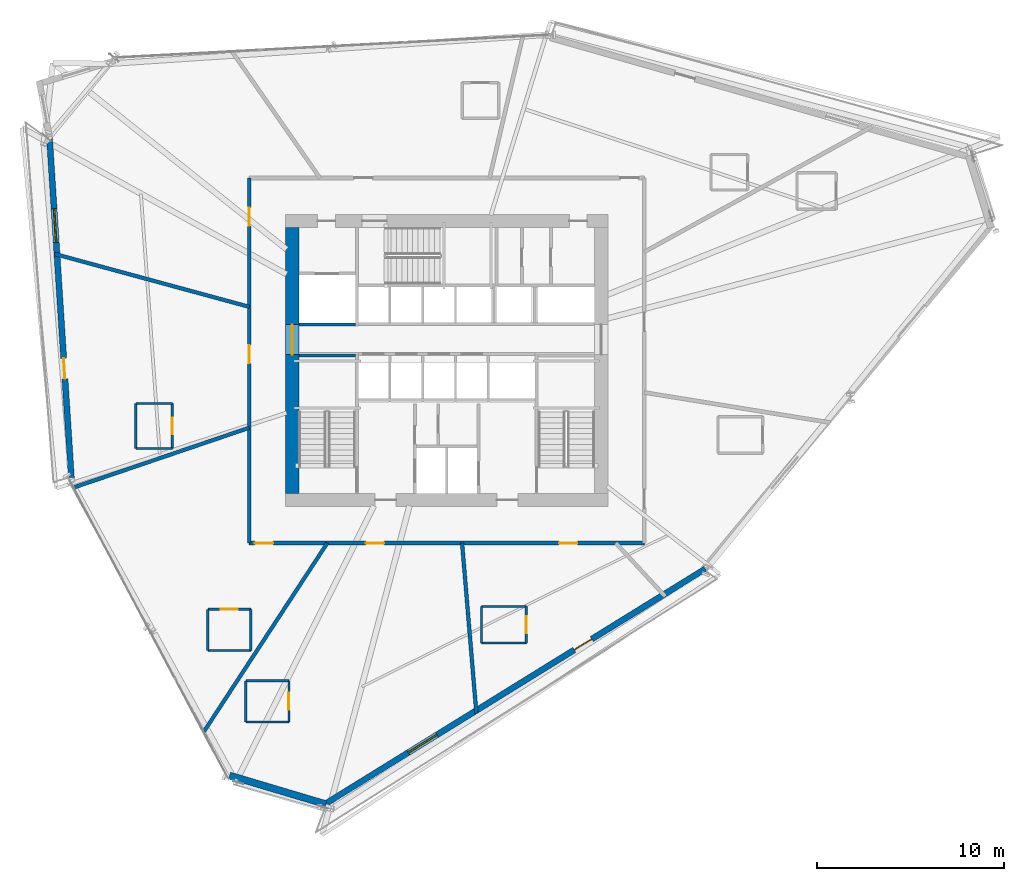
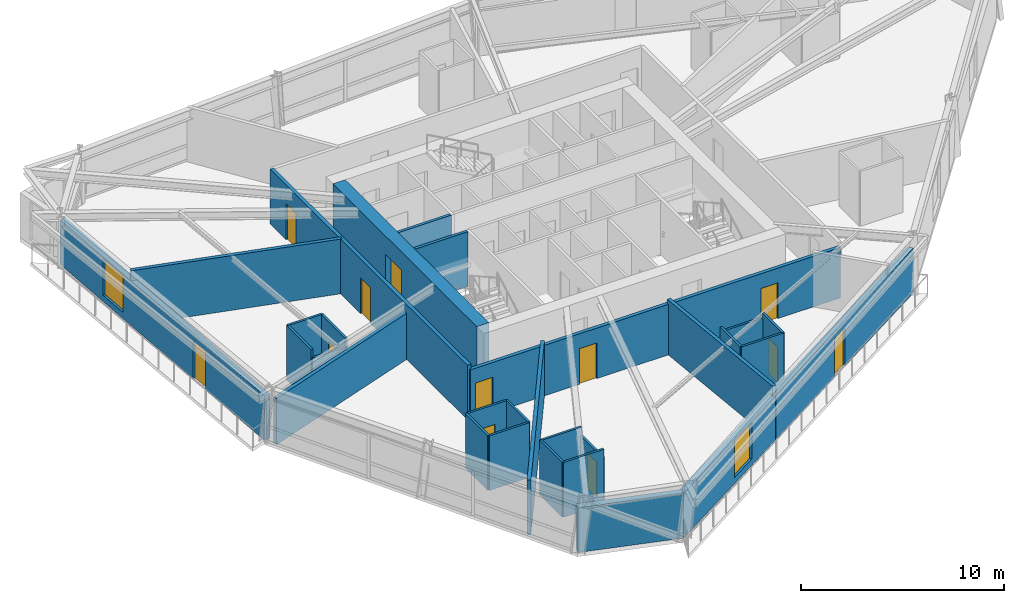
# One storey, part 14 of 21: 28 walls, 12 doors, 2 windows, 14 openings.
"""IFC4 building model written with IfcOpenShell, lengths in metres."""

import ifcopenshell
import ifcopenshell.guid

model = None  # the IFC model being written
_history = None  # IfcOwnerHistory: only IFC2X3 demands one
_inside = {}  # id of a spatial element -> (the spatial element, [elements in it])
_under = {}  # id of a project, library or spatial element -> (it, [spatial elements below it])
_declared = {}  # id of a project -> (the project, [libraries it declares])
_typed = {}  # id of a type object -> (the type object, [elements of that type])
_made_of = {}  # id of a material, layer set ... -> (it, [elements and type objects made of it])


def new_model(schema):
    """Start an empty IFC model of exactly this schema.

    Asked for "IFC4X3", IfcOpenShell would pick the latest addendum, in which some entities
    have other attributes; the version numbers below select the first issue.
    IFC2X3 requires an IfcOwnerHistory on every rooted entity: one is made here for all.
    """
    global model, _history
    if schema == "IFC4X3":
        model = ifcopenshell.file(schema_version=(4, 3, 0, 0))
    else:
        model = ifcopenshell.file(schema=schema)
    _inside.clear()
    _under.clear()
    _declared.clear()
    _typed.clear()
    _made_of.clear()
    _history = None
    if model.schema == "IFC2X3":
        org = make("IfcOrganization", Name="unknown")
        user = make(
            "IfcPersonAndOrganization",
            ThePerson=make("IfcPerson", FamilyName="unknown"),
            TheOrganization=org,
        )
        app = make(
            "IfcApplication",
            ApplicationDeveloper=org,
            Version="unknown",
            ApplicationFullName="unknown",
            ApplicationIdentifier="unknown",
        )
        _history = make(
            "IfcOwnerHistory",
            OwningUser=user,
            OwningApplication=app,
            ChangeAction="ADDED",
            CreationDate=0,
        )
    return model


def make(cls, **values):
    """One entity of the class cls with the attributes given. An attribute that is None is left unset."""
    return model.create_entity(
        cls, **{name: value for name, value in values.items() if value is not None}
    )


def rooted(cls, **values):
    """An entity with a GlobalId (a new one), such as an element, a storey or a relation."""
    return make(cls, GlobalId=ifcopenshell.guid.new(), OwnerHistory=_history, **values)


def si_unit(unit_type, name, prefix=None):
    """IfcSIUnit, for example si_unit("LENGTHUNIT", "METRE", prefix="MILLI")."""
    return make("IfcSIUnit", UnitType=unit_type, Prefix=prefix, Name=name)


def assignment(units):
    """IfcUnitAssignment: the units of a project."""
    return None if units is None else make("IfcUnitAssignment", Units=units)


def point(xyz):
    """IfcCartesianPoint."""
    return None if xyz is None else make("IfcCartesianPoint", Coordinates=xyz)


def direction(xyz):
    """IfcDirection."""
    return None if xyz is None else make("IfcDirection", DirectionRatios=xyz)


def frame(location, z_axis=None, x_axis=None):
    """IfcAxis2Placement3D, a coordinate frame: its origin and axes. An axis left out is left unset."""
    return make(
        "IfcAxis2Placement3D",
        Location=point(location),
        Axis=direction(z_axis),
        RefDirection=direction(x_axis),
    )


def frame_2d(location, x_axis=None):
    """IfcAxis2Placement2D, a coordinate frame in the plane: its origin and x axis."""
    return make(
        "IfcAxis2Placement2D", Location=point(location), RefDirection=direction(x_axis)
    )


def origin():
    """The frame at (0, 0, 0) with its axes left unset."""
    return frame((0.0, 0.0, 0.0))


def place(relative_to, where):
    """IfcLocalPlacement: puts the frame where relative to a parent placement (None: the world)."""
    return make(
        "IfcLocalPlacement", PlacementRelTo=relative_to, RelativePlacement=where
    )


def context(
    kind, dimensions, precision=None, world=None, true_north=None, identifier=None
):
    """IfcGeometricRepresentationContext, for example the 3D "Model" context."""
    return make(
        "IfcGeometricRepresentationContext",
        ContextIdentifier=identifier,
        ContextType=kind,
        CoordinateSpaceDimension=dimensions,
        Precision=precision,
        WorldCoordinateSystem=world,
        TrueNorth=true_north,
    )


def subcontext(parent, identifier, kind, view, scale=None):
    """IfcGeometricRepresentationSubContext, for example "Body" below "Model"."""
    return make(
        "IfcGeometricRepresentationSubContext",
        ContextIdentifier=identifier,
        ContextType=kind,
        ParentContext=parent,
        TargetScale=scale,
        TargetView=view,
    )


def project(units=None, contexts=None):
    """IfcProject with its units and contexts."""
    return rooted(
        "IfcProject",
        Name="project",
        RepresentationContexts=contexts,
        UnitsInContext=assignment(units),
    )


def spatial(cls, under=None, at=None, **own):
    """A site, building, storey or space (cls), placed at a placement, below another one or the project."""
    s = rooted(cls, ObjectPlacement=at, **own)
    if under is not None:
        _under.setdefault(under.id(), (under, []))[1].append(s)
    return s


def profile(cls, at=None, kind="AREA", **sizes):
    """A parametric profile (cls). Its sizes go by their IFC names, for example OverallWidth=200.0."""
    return make(cls, ProfileType=kind, Position=at, **sizes)


def rectangle(**sizes):
    """IfcRectangleProfileDef."""
    return profile("IfcRectangleProfileDef", **sizes)


def extrude(swept, where, along, depth):
    """IfcExtrudedAreaSolid: the profile swept, set in the frame where, extruded along a direction by depth."""
    return make(
        "IfcExtrudedAreaSolid",
        SweptArea=swept,
        Position=where,
        ExtrudedDirection=direction(along),
        Depth=depth,
    )


def shape(context_of_items, identifier, shape_type, items):
    """IfcShapeRepresentation: the items that make up one representation, for example the "Body"."""
    return make(
        "IfcShapeRepresentation",
        ContextOfItems=context_of_items,
        RepresentationIdentifier=identifier,
        RepresentationType=shape_type,
        Items=items,
    )


def source(mapping_origin, context_of_items, identifier, shape_type, items):
    """IfcRepresentationMap: a shape defined once, which mapped items show again and again."""
    return make(
        "IfcRepresentationMap",
        MappingOrigin=mapping_origin,
        MappedRepresentation=shape(context_of_items, identifier, shape_type, items),
    )


def transform(
    local_origin,
    x_axis=None,
    y_axis=None,
    z_axis=None,
    scale=None,
    scale2=None,
    scale3=None,
    uniform=True,
):
    """IfcCartesianTransformationOperator3D, or its non-uniform kind. x_axis, y_axis, z_axis: its Axis1, 2, 3."""
    if uniform:
        return make(
            "IfcCartesianTransformationOperator3D",
            Axis1=direction(x_axis),
            Axis2=direction(y_axis),
            LocalOrigin=point(local_origin),
            Scale=scale,
            Axis3=direction(z_axis),
        )
    return make(
        "IfcCartesianTransformationOperator3DnonUniform",
        Axis1=direction(x_axis),
        Axis2=direction(y_axis),
        LocalOrigin=point(local_origin),
        Scale=scale,
        Axis3=direction(z_axis),
        Scale2=scale2,
        Scale3=scale3,
    )


def mapped(mapping_source, mapping_target):
    """IfcMappedItem: shows the shape of a source again, moved by a transform."""
    return make(
        "IfcMappedItem", MappingSource=mapping_source, MappingTarget=mapping_target
    )


def material(Name=None, Category=None):
    """IfcMaterial."""
    return make("IfcMaterial", Name=Name, Category=Category)


def layer(
    of_material, thickness, ventilated=None, Name=None, Category=None, Priority=None
):
    """IfcMaterialLayer: one layer of a wall or slab, of a material (None: an air gap)."""
    return make(
        "IfcMaterialLayer",
        Material=of_material,
        LayerThickness=thickness,
        IsVentilated=ventilated,
        Name=Name,
        Category=Category,
        Priority=Priority,
    )


def layer_set(layers, Name=None):
    """IfcMaterialLayerSet."""
    return make("IfcMaterialLayerSet", MaterialLayers=layers, LayerSetName=Name)


def made_of(thing, what):
    """Note that an element or type object is made of a material, layer set ...; save() writes the relation."""
    if what is not None:
        _made_of.setdefault(what.id(), (what, []))[1].append(thing)
    return thing


def type_object(cls, material=None, **own):
    """A type object (cls), such as IfcWallType, which elements share."""
    return made_of(rooted(cls, **own), material)


def type_shapes(of_type, sources):
    """Give a type object the sources (RepresentationMaps) that its elements show as mapped items."""
    of_type.RepresentationMaps = sources


def element(
    cls,
    number,
    at=None,
    inside=None,
    cuts=None,
    type_object=None,
    material=None,
    context=None,
    identifier="Body",
    shape_type=None,
    held_by="IfcProductDefinitionShape",
    body=None,
    shapes=None,
    **own,
):
    """One element of the class cls, such as IfcWall. Its Tag is "e" and its number.

    at: its placement. inside: the storey or other place that contains it. cuts: it is an
    opening in that element (IfcRelVoidsElement). A single representation is given by context,
    identifier, shape_type and body (its items); several are given by shapes. held_by: the class
    of the entity that holds the representations. save() writes the other relations.
    """
    e = rooted(cls, Tag="e%d" % number, ObjectPlacement=at, **own)
    if body is not None:
        shapes = [shape(context, identifier, shape_type, body)]
    if shapes is not None:
        e.Representation = make(held_by, Representations=shapes)
    if inside is not None:
        _inside.setdefault(inside.id(), (inside, []))[1].append(e)
    if cuts is not None:
        rooted(
            "IfcRelVoidsElement", RelatingBuildingElement=cuts, RelatedOpeningElement=e
        )
    if type_object is not None:
        _typed.setdefault(type_object.id(), (type_object, []))[1].append(e)
    return made_of(e, material)


def fill(opening, filler):
    """IfcRelFillsElement: the door or window that sits in an opening."""
    return rooted(
        "IfcRelFillsElement",
        RelatingOpeningElement=opening,
        RelatedBuildingElement=filler,
    )


def aggregate(whole, parts):
    """IfcRelAggregates: a whole, such as a stair, and the parts it consists of."""
    return rooted("IfcRelAggregates", RelatingObject=whole, RelatedObjects=parts)


def save(model, path):
    """Write the relations noted so far, then the file.

    IfcRelAggregates (storeys below a building ...), IfcRelContainedInSpatialStructure (elements
    in a storey), IfcRelDefinesByType, IfcRelAssociatesMaterial and IfcRelDeclares: one each for
    every whole, place, type object, material and project.
    """
    for whole, parts in _under.values():
        aggregate(whole, parts)
    for where, things in _inside.values():
        rooted(
            "IfcRelContainedInSpatialStructure",
            RelatedElements=things,
            RelatingStructure=where,
        )
    for kind, things in _typed.values():
        rooted("IfcRelDefinesByType", RelatedObjects=things, RelatingType=kind)
    for what, things in _made_of.values():
        rooted("IfcRelAssociatesMaterial", RelatedObjects=things, RelatingMaterial=what)
    for by, libraries in _declared.values():
        rooted("IfcRelDeclares", RelatingContext=by, RelatedDefinitions=libraries)
    model.write(path)


model = new_model("IFC4")

# Units and contexts
model_context = context("Model", 3, precision=1e-05, world=origin(), true_north=direction((0.0, 1.0)))
body_context = subcontext(model_context, "Body", "Model", "MODEL_VIEW")
ifc_project = project(units=[si_unit("LENGTHUNIT", "METRE"), si_unit("AREAUNIT", "SQUARE_METRE"), si_unit("VOLUMEUNIT", "CUBIC_METRE"), si_unit("PLANEANGLEUNIT", "RADIAN"), si_unit("MASSUNIT", "GRAM", prefix="KILO")], contexts=[model_context])

# Site, building, storey
site_placement = place(None, origin())
site = spatial("IfcSite", under=ifc_project, at=site_placement, CompositionType="ELEMENT")
building_placement = place(site_placement, origin())
building = spatial("IfcBuilding", under=site, at=building_placement, Name="Olszyna Solenne Hotel", CompositionType="ELEMENT")
storey_placement = place(building_placement, frame((0.0, 0.0, 105.699951171875)))
storey = spatial("IfcBuildingStorey", under=building, at=storey_placement, Name="L27", CompositionType="ELEMENT", Elevation=105.699951171875)

# Wall, opening, door
ifc_material_1 = material(Name="Concrete C60/75", Category="concrete")
ifc_layer_1 = layer(ifc_material_1, 0.699951171875, Name="Concrete C60/75")
ifc_layer_set_1 = layer_set([ifc_layer_1], Name="Concrete C60/75")
wall_type_1 = type_object("IfcWallType", Name="WL-CR700", PredefinedType="SHEAR", material=ifc_layer_set_1)
wall_1_placement = place(storey_placement, frame((29.75, 19.5, 0.0), z_axis=(0.0, 0.0, 1.0), x_axis=(0.0, 1.0, 0.0)))
wall_1 = element("IfcWall", 1, at=wall_1_placement, inside=storey, type_object=wall_type_1, Name="Core shear wall WL-CR700 CRW-L27-W", PredefinedType="SHEAR", context=body_context, shape_type="SweptSolid", body=[
    extrude(rectangle(XDim=14.199951171875, YDim=0.699951171875, at=frame_2d((7.10009765625, 0.0))), origin(), (0.0, 0.0, 1.0), 3.300048828125),
])
opening_1_placement = place(wall_1_placement, frame((7.419921875, 0.0, 0.0)))
opening_1 = element("IfcOpeningElement", 2, at=opening_1_placement, cuts=wall_1, Name="Opening LHD-L27-W", PredefinedType="OPENING", context=body_context, shape_type="SweptSolid", body=[
    extrude(rectangle(XDim=1.60009765625, YDim=2.199951171875, at=frame_2d((0.800048828125, 1.10009765625))), frame((0.0, 0.35986328125, 0.0), z_axis=(0.0, -1.0, 0.0), x_axis=(1.0, 0.0, 0.0)), (0.0, 0.0, 1.0), 0.719970703125),
])
ifc_material_2 = material(Name="Timber hardwood", Category="wood")
door_type_1 = type_object("IfcDoorType", Name="DR-CR1", OperationType="DOUBLE_DOOR_SINGLE_SWING", PredefinedType="DOOR", material=ifc_material_2)
shared_shape_1 = source(origin(), body_context, "Body", "SweptSolid", [
    extrude(rectangle(XDim=1.60009765625, YDim=2.199951171875, at=frame_2d((0.800048828125, 1.10009765625))), frame((0.0, 0.02490234375, 0.0), z_axis=(0.0, -1.0, 0.0), x_axis=(1.0, 0.0, 0.0)), (0.0, 0.0, 1.0), 0.050048828125),
])
type_shapes(door_type_1, [shared_shape_1])
door_1_placement = place(opening_1_placement, origin())
door_1 = element("IfcDoor", 3, at=door_1_placement, inside=storey, type_object=door_type_1, Name="Passenger lift lobby West fire door LHD-L27-W", OperationType="DOUBLE_DOOR_SINGLE_SWING", OverallHeight=2.199951171875, OverallWidth=1.60009765625, PredefinedType="DOOR", context=body_context, shape_type="MappedRepresentation", body=[
    mapped(shared_shape_1, transform((0.0, 0.0, 0.0), x_axis=(1.0, 0.0, 0.0), y_axis=(0.0, 1.0, 0.0), z_axis=(0.0, 0.0, 1.0), scale=1.0)),
])
fill(opening_1, door_1)

# Wall, openings, door, window
ifc_material_3 = material(Name="Precast concrete C45/55", Category="concrete")
ifc_layer_2 = layer(ifc_material_3, 0.320068359375, Name="Precast concrete C45/55")
ifc_layer_set_2 = layer_set([ifc_layer_2], Name="Precast concrete C45/55")
wall_type_2 = type_object("IfcWallType", Name="WL-EX320", PredefinedType="SOLIDWALL", material=ifc_layer_set_2)
wall_2_placement = place(storey_placement, frame((51.806640625, 15.469482421875, 0.0), z_axis=(0.0, 0.0, 1.0), x_axis=(-0.85050085658, -0.525973661847, 0.0)))
wall_2 = element("IfcWall", 4, at=wall_2_placement, inside=storey, type_object=wall_type_2, Name="Exterior terracotta-precast frame wall WL-EX320 EW-L27-01", PredefinedType="SOLIDWALL", context=body_context, shape_type="SweptSolid", body=[
    extrude(rectangle(XDim=23.9853515625, YDim=0.320068359375, at=frame_2d((11.99267578125, 0.0))), origin(), (0.0, 0.0, 1.0), 2.692138671875),
])
opening_2_placement = place(wall_2_placement, frame((7.125, 0.0, 0.0)))
opening_2 = element("IfcOpeningElement", 5, at=opening_2_placement, cuts=wall_2, Name="Opening LDG-L27-3", PredefinedType="OPENING", context=body_context, shape_type="SweptSolid", body=[
    extrude(rectangle(XDim=1.10009765625, YDim=2.300048828125, at=frame_2d((0.550048828125, 1.14990234375))), frame((0.0, 0.169921875, 0.0), z_axis=(0.0, -1.0, 0.0), x_axis=(1.0, 0.0, 0.0)), (0.0, 0.0, 1.0), 0.340087890625),
])
opening_3_placement = place(wall_2_placement, frame((16.84912109375, 0.0, 0.3720703125)))
opening_3 = element("IfcOpeningElement", 6, at=opening_3_placement, cuts=wall_2, Name="Opening WN-L27-147", PredefinedType="OPENING", context=body_context, shape_type="SweptSolid", body=[
    extrude(rectangle(XDim=1.800048828125, YDim=2.199951171875, at=frame_2d((0.89990234375, 1.10009765625))), frame((0.0, 0.169921875, 0.0), z_axis=(0.0, -1.0, 0.0), x_axis=(1.0, 0.0, 0.0)), (0.0, 0.0, 1.0), 0.340087890625),
])
ifc_material_4 = material(Name="Anodised bronze aluminium", Category="aluminium")
door_type_2 = type_object("IfcDoorType", Name="DR-LG1", OperationType="NOTDEFINED", PredefinedType="DOOR", material=ifc_material_4)
shared_shape_2 = source(origin(), body_context, "Body", "SweptSolid", [
    extrude(rectangle(XDim=1.10009765625, YDim=2.300048828125, at=frame_2d((0.550048828125, 1.14990234375))), frame((0.0, 0.02490234375, 0.0), z_axis=(0.0, -1.0, 0.0), x_axis=(1.0, 0.0, 0.0)), (0.0, 0.0, 1.0), 0.050048828125),
])
type_shapes(door_type_2, [shared_shape_2])
door_2_placement = place(opening_2_placement, origin())
door_2 = element("IfcDoor", 7, at=door_2_placement, inside=storey, type_object=door_type_2, Name="Exterior loggia balcony door DR-LG1 LDG-L27-3", OperationType="SINGLE_SWING_LEFT", OverallHeight=2.300048828125, OverallWidth=1.10009765625, PredefinedType="DOOR", context=body_context, shape_type="MappedRepresentation", body=[
    mapped(shared_shape_2, transform((0.0, 0.0, 0.0), x_axis=(1.0, 0.0, 0.0), y_axis=(0.0, 1.0, 0.0), z_axis=(0.0, 0.0, 1.0), scale=1.0)),
])
fill(opening_2, door_2)
ifc_material_5 = material(Name="Low-E triple glazing", Category="glass")
window_type = type_object("IfcWindowType", Name="WN-HT1", PartitioningType="SINGLE_PANEL", PredefinedType="WINDOW", material=ifc_material_5)
shared_shape_3 = source(origin(), body_context, "Body", "SweptSolid", [
    extrude(rectangle(XDim=1.800048828125, YDim=2.199951171875, at=frame_2d((0.89990234375, 1.10009765625))), frame((0.0, 0.030029296875, 0.0), z_axis=(0.0, -1.0, 0.0), x_axis=(1.0, 0.0, 0.0)), (0.0, 0.0, 1.0), 0.06005859375),
])
type_shapes(window_type, [shared_shape_3])
window_1_placement = place(opening_3_placement, origin())
window_1 = element("IfcWindow", 8, at=window_1_placement, inside=storey, type_object=window_type, Name="Loggia room window WN-HT1 WN-L27-147", OverallHeight=2.199951171875, OverallWidth=1.800048828125, PartitioningType="SINGLE_PANEL", PredefinedType="WINDOW", context=body_context, shape_type="MappedRepresentation", body=[
    mapped(shared_shape_3, transform((0.0, 0.0, 0.0), x_axis=(1.0, 0.0, 0.0), y_axis=(0.0, 1.0, 0.0), z_axis=(0.0, 0.0, 1.0), scale=1.0)),
])
fill(opening_3, window_1)

wall_3_placement = place(storey_placement, frame((17.94873046875, 20.346923828125, 0.0), z_axis=(0.0, 0.0, 1.0), x_axis=(-0.06421657242, 0.997935985836, 0.0)))
wall_3 = element("IfcWall", 9, at=wall_3_placement, inside=storey, type_object=wall_type_2, Name="Exterior terracotta-precast frame wall WL-EX320 EW-L27-04", PredefinedType="SOLIDWALL", context=body_context, shape_type="SweptSolid", body=[
    extrude(rectangle(XDim=18.22216796875, YDim=0.320068359375, at=frame_2d((9.111083984375, 0.0))), origin(), (0.0, 0.0, 1.0), 2.692138671875),
])
opening_4_placement = place(wall_3_placement, frame((5.281005859375, 0.0, 0.0)))
opening_4 = element("IfcOpeningElement", 10, at=opening_4_placement, cuts=wall_3, Name="Opening LDG-L27-2", PredefinedType="OPENING", context=body_context, shape_type="SweptSolid", body=[
    extrude(rectangle(XDim=1.10009765625, YDim=2.300048828125, at=frame_2d((0.550048828125, 1.14990234375))), frame((0.0, 0.169921875, 0.0), z_axis=(0.0, -1.0, 0.0), x_axis=(1.0, 0.0, 0.0)), (0.0, 0.0, 1.0), 0.340087890625),
])
opening_5_placement = place(wall_3_placement, frame((12.5849609375, 0.0, 0.3720703125)))
opening_5 = element("IfcOpeningElement", 11, at=opening_5_placement, cuts=wall_3, Name="Opening WN-L27-148", PredefinedType="OPENING", context=body_context, shape_type="SweptSolid", body=[
    extrude(rectangle(XDim=1.800048828125, YDim=2.199951171875, at=frame_2d((0.89990234375, 1.10009765625))), frame((0.0, 0.169921875, 0.0), z_axis=(0.0, -1.0, 0.0), x_axis=(1.0, 0.0, 0.0)), (0.0, 0.0, 1.0), 0.340087890625),
])
door_3_placement = place(opening_4_placement, origin())
door_3 = element("IfcDoor", 12, at=door_3_placement, inside=storey, type_object=door_type_2, Name="Exterior loggia balcony door DR-LG1 LDG-L27-2", OperationType="SINGLE_SWING_RIGHT", OverallHeight=2.300048828125, OverallWidth=1.10009765625, PredefinedType="DOOR", context=body_context, shape_type="MappedRepresentation", body=[
    mapped(shared_shape_2, transform((0.0, 0.0, 0.0), x_axis=(1.0, 0.0, 0.0), y_axis=(0.0, 1.0, 0.0), z_axis=(0.0, 0.0, 1.0), scale=1.0)),
])
fill(opening_4, door_3)
window_2_placement = place(opening_5_placement, origin())
window_2 = element("IfcWindow", 13, at=window_2_placement, inside=storey, type_object=window_type, Name="Loggia room window WN-HT1 WN-L27-148", OverallHeight=2.199951171875, OverallWidth=1.800048828125, PartitioningType="SINGLE_PANEL", PredefinedType="WINDOW", context=body_context, shape_type="MappedRepresentation", body=[
    mapped(shared_shape_3, transform((0.0, 0.0, 0.0), x_axis=(1.0, 0.0, 0.0), y_axis=(0.0, 1.0, 0.0), z_axis=(0.0, 0.0, 1.0), scale=1.0)),
])
fill(opening_5, window_2)

# Walls
ifc_material_6 = material(Name="Terracotta cladding on precast concrete C45/55", Category="masonry")
ifc_layer_3 = layer(ifc_material_6, 0.3798828125, Name="Terracotta cladding on precast concrete C45/55")
ifc_layer_set_3 = layer_set([ifc_layer_3], Name="Terracotta cladding on precast concrete C45/55")
wall_type_3 = type_object("IfcWallType", Name="WL-EX380", PredefinedType="SOLIDWALL", material=ifc_layer_set_3)
wall_4_placement = place(storey_placement, frame((31.545654296875, 2.89990234375, 0.0), z_axis=(0.0, 0.0, 1.0), x_axis=(-0.95832579707, 0.28567755717, 0.0)))
element("IfcWall", 14, at=wall_4_placement, inside=storey, type_object=wall_type_3, Name="Exterior terracotta-precast frame wall WL-EX380 EW-L27-02", PredefinedType="SOLIDWALL", context=body_context, shape_type="SweptSolid", body=[
    extrude(rectangle(XDim=5.365234375, YDim=0.3798828125, at=frame_2d((2.6826171875, 0.0))), origin(), (0.0, 0.0, 1.0), 2.692138671875),
])
ifc_material_7 = material(Name="Acoustic gypsum partition", Category="gypsum")
ifc_layer_4 = layer(ifc_material_7, 0.125, Name="Acoustic gypsum partition")
ifc_layer_set_4 = layer_set([ifc_layer_4], Name="Acoustic gypsum partition")
wall_type_4 = type_object("IfcWallType", Name="WL-PT125", PredefinedType="PARTITIONING", material=ifc_layer_set_4)
wall_5_placement = place(storey_placement, frame((27.537109375, 11.113037109375, 0.0), z_axis=(0.0, 0.0, 1.0), x_axis=(0.0, 1.0, 0.0)))
element("IfcWall", 15, at=wall_5_placement, inside=storey, type_object=wall_type_4, Name="Interior acoustic partition WL-PT125 PW-L27-1555", PredefinedType="PARTITIONING", context=body_context, shape_type="SweptSolid", body=[
    extrude(rectangle(XDim=2.199951171875, YDim=0.125, at=frame_2d((1.10009765625, 0.0))), origin(), (0.0, 0.0, 1.0), 3.300048828125),
])

# Wall, opening, door
wall_6_placement = place(storey_placement, frame((27.537109375, 13.31298828125, 0.0), z_axis=(0.0, 0.0, 1.0), x_axis=(-1.0, 0.0, 0.0)))
wall_6 = element("IfcWall", 16, at=wall_6_placement, inside=storey, type_object=wall_type_4, Name="Interior acoustic partition WL-PT125 PW-L27-1556", PredefinedType="PARTITIONING", context=body_context, shape_type="SweptSolid", body=[
    extrude(rectangle(XDim=2.300048828125, YDim=0.125, at=frame_2d((1.14990234375, 0.0))), origin(), (0.0, 0.0, 1.0), 3.300048828125),
])
opening_6_placement = place(wall_6_placement, frame((0.699951171875, 0.0, 0.0)))
opening_6 = element("IfcOpeningElement", 17, at=opening_6_placement, cuts=wall_6, Name="Opening DR-L27-0364", PredefinedType="OPENING", context=body_context, shape_type="SweptSolid", body=[
    extrude(rectangle(XDim=0.89990234375, YDim=2.10009765625, at=frame_2d((0.449951171875, 1.050048828125))), frame((0.0, 0.072509765625, 0.0), z_axis=(0.0, -1.0, 0.0), x_axis=(1.0, 0.0, 0.0)), (0.0, 0.0, 1.0), 0.14501953125),
])
door_type_3 = type_object("IfcDoorType", Name="DR-WC1", OperationType="NOTDEFINED", PredefinedType="DOOR", material=ifc_material_2)
shared_shape_4 = source(origin(), body_context, "Body", "SweptSolid", [
    extrude(rectangle(XDim=0.89990234375, YDim=2.10009765625, at=frame_2d((0.449951171875, 1.050048828125))), frame((0.0, 0.02490234375, 0.0), z_axis=(0.0, -1.0, 0.0), x_axis=(1.0, 0.0, 0.0)), (0.0, 0.0, 1.0), 0.050048828125),
])
type_shapes(door_type_3, [shared_shape_4])
door_4_placement = place(opening_6_placement, origin())
door_4 = element("IfcDoor", 18, at=door_4_placement, inside=storey, type_object=door_type_3, Name="En-Suite Bathroom Door DR-L27-0364", OperationType="SINGLE_SWING_LEFT", OverallHeight=2.10009765625, OverallWidth=0.89990234375, PredefinedType="DOOR", context=body_context, shape_type="MappedRepresentation", body=[
    mapped(shared_shape_4, transform((0.0, 0.0, 0.0), x_axis=(1.0, 0.0, 0.0), y_axis=(0.0, 1.0, 0.0), z_axis=(0.0, 0.0, 1.0), scale=1.0)),
])
fill(opening_6, door_4)

# Walls
wall_7_placement = place(storey_placement, frame((25.237060546875, 13.31298828125, 0.0), z_axis=(0.0, 0.0, 1.0), x_axis=(0.0, -1.0, 0.0)))
element("IfcWall", 19, at=wall_7_placement, inside=storey, type_object=wall_type_4, Name="Interior acoustic partition WL-PT125 PW-L27-1557", PredefinedType="PARTITIONING", context=body_context, shape_type="SweptSolid", body=[
    extrude(rectangle(XDim=2.199951171875, YDim=0.125, at=frame_2d((1.10009765625, 0.0))), origin(), (0.0, 0.0, 1.0), 3.300048828125),
])
wall_8_placement = place(storey_placement, frame((25.237060546875, 11.113037109375, 0.0), z_axis=(0.0, 0.0, 1.0), x_axis=(1.0, 0.0, 0.0)))
element("IfcWall", 20, at=wall_8_placement, inside=storey, type_object=wall_type_4, Name="Interior acoustic partition WL-PT125 PW-L27-1558", PredefinedType="PARTITIONING", context=body_context, shape_type="SweptSolid", body=[
    extrude(rectangle(XDim=2.300048828125, YDim=0.125, at=frame_2d((1.14990234375, 0.0))), origin(), (0.0, 0.0, 1.0), 3.300048828125),
])

# Wall, opening, door
wall_9_placement = place(storey_placement, frame((29.571044921875, 7.29296875, 0.0), z_axis=(0.0, 0.0, 1.0), x_axis=(0.0, 1.0, 0.0)))
wall_9 = element("IfcWall", 21, at=wall_9_placement, inside=storey, type_object=wall_type_4, Name="Interior acoustic partition WL-PT125 PW-L27-1559", PredefinedType="PARTITIONING", context=body_context, shape_type="SweptSolid", body=[
    extrude(rectangle(XDim=2.199951171875, YDim=0.125, at=frame_2d((1.10009765625, 0.0))), origin(), (0.0, 0.0, 1.0), 2.795166015625),
])
opening_7_placement = place(wall_9_placement, frame((0.64990234375, 0.0, 0.0)))
opening_7 = element("IfcOpeningElement", 22, at=opening_7_placement, cuts=wall_9, Name="Opening DR-L27-0365", PredefinedType="OPENING", context=body_context, shape_type="SweptSolid", body=[
    extrude(rectangle(XDim=0.89990234375, YDim=2.10009765625, at=frame_2d((0.449951171875, 1.050048828125))), frame((0.0, 0.072509765625, 0.0), z_axis=(0.0, -1.0, 0.0), x_axis=(1.0, 0.0, 0.0)), (0.0, 0.0, 1.0), 0.14501953125),
])
door_5_placement = place(opening_7_placement, origin())
door_5 = element("IfcDoor", 23, at=door_5_placement, inside=storey, type_object=door_type_3, Name="En-Suite Bathroom Door DR-L27-0365", OperationType="SINGLE_SWING_RIGHT", OverallHeight=2.10009765625, OverallWidth=0.89990234375, PredefinedType="DOOR", context=body_context, shape_type="MappedRepresentation", body=[
    mapped(shared_shape_4, transform((0.0, 0.0, 0.0), x_axis=(1.0, 0.0, 0.0), y_axis=(0.0, 1.0, 0.0), z_axis=(0.0, 0.0, 1.0), scale=1.0)),
])
fill(opening_7, door_5)

# Walls
wall_10_placement = place(storey_placement, frame((29.571044921875, 9.492919921875, 0.0), z_axis=(0.0, 0.0, 1.0), x_axis=(-1.0, 0.0, 0.0)))
element("IfcWall", 24, at=wall_10_placement, inside=storey, type_object=wall_type_4, Name="Interior acoustic partition WL-PT125 PW-L27-1560", PredefinedType="PARTITIONING", context=body_context, shape_type="SweptSolid", body=[
    extrude(rectangle(XDim=2.300048828125, YDim=0.125, at=frame_2d((1.14990234375, 0.0))), origin(), (0.0, 0.0, 1.0), 3.300048828125),
])
wall_11_placement = place(storey_placement, frame((27.27099609375, 9.492919921875, 0.0), z_axis=(0.0, 0.0, 1.0), x_axis=(0.0, -1.0, 0.0)))
element("IfcWall", 25, at=wall_11_placement, inside=storey, type_object=wall_type_4, Name="Interior acoustic partition WL-PT125 PW-L27-1561", PredefinedType="PARTITIONING", context=body_context, shape_type="SweptSolid", body=[
    extrude(rectangle(XDim=2.199951171875, YDim=0.125, at=frame_2d((1.10009765625, 0.0))), origin(), (0.0, 0.0, 1.0), 3.300048828125),
])
wall_12_placement = place(storey_placement, frame((27.27099609375, 7.29296875, 0.0), z_axis=(0.0, 0.0, 1.0), x_axis=(1.0, 0.0, 0.0)))
element("IfcWall", 26, at=wall_12_placement, inside=storey, type_object=wall_type_4, Name="Interior acoustic partition WL-PT125 PW-L27-1562", PredefinedType="PARTITIONING", context=body_context, shape_type="SweptSolid", body=[
    extrude(rectangle(XDim=2.300048828125, YDim=0.125, at=frame_2d((1.14990234375, 0.0))), origin(), (0.0, 0.0, 1.0), 3.300048828125),
])

# Wall, opening, door
wall_13_placement = place(storey_placement, frame((42.25390625, 11.514892578125, 0.0), z_axis=(0.0, 0.0, 1.0), x_axis=(0.0, 1.0, 0.0)))
wall_13 = element("IfcWall", 27, at=wall_13_placement, inside=storey, type_object=wall_type_4, Name="Interior acoustic partition WL-PT125 PW-L27-1563", PredefinedType="PARTITIONING", context=body_context, shape_type="SweptSolid", body=[
    extrude(rectangle(XDim=1.9501953125, YDim=0.125, at=frame_2d((0.97509765625, 0.0))), origin(), (0.0, 0.0, 1.0), 3.300048828125),
])
opening_8_placement = place(wall_13_placement, frame((0.52490234375, 0.0, 0.0)))
opening_8 = element("IfcOpeningElement", 28, at=opening_8_placement, cuts=wall_13, Name="Opening DR-L27-0366", PredefinedType="OPENING", context=body_context, shape_type="SweptSolid", body=[
    extrude(rectangle(XDim=0.89990234375, YDim=2.10009765625, at=frame_2d((0.449951171875, 1.050048828125))), frame((0.0, 0.072509765625, 0.0), z_axis=(0.0, -1.0, 0.0), x_axis=(1.0, 0.0, 0.0)), (0.0, 0.0, 1.0), 0.14501953125),
])
door_6_placement = place(opening_8_placement, origin())
door_6 = element("IfcDoor", 29, at=door_6_placement, inside=storey, type_object=door_type_3, Name="En-Suite Bathroom Door DR-L27-0366", OperationType="SINGLE_SWING_RIGHT", OverallHeight=2.10009765625, OverallWidth=0.89990234375, PredefinedType="DOOR", context=body_context, shape_type="MappedRepresentation", body=[
    mapped(shared_shape_4, transform((0.0, 0.0, 0.0), x_axis=(1.0, 0.0, 0.0), y_axis=(0.0, 1.0, 0.0), z_axis=(0.0, 0.0, 1.0), scale=1.0)),
])
fill(opening_8, door_6)

# Walls
wall_14_placement = place(storey_placement, frame((42.25390625, 13.465087890625, 0.0), z_axis=(0.0, 0.0, 1.0), x_axis=(-1.0, 0.0, 0.0)))
element("IfcWall", 30, at=wall_14_placement, inside=storey, type_object=wall_type_4, Name="Interior acoustic partition WL-PT125 PW-L27-1564", PredefinedType="PARTITIONING", context=body_context, shape_type="SweptSolid", body=[
    extrude(rectangle(XDim=2.39990234375, YDim=0.125, at=frame_2d((1.199951171875, 0.0))), origin(), (0.0, 0.0, 1.0), 3.045166015625),
])
wall_15_placement = place(storey_placement, frame((39.85400390625, 13.465087890625, 0.0), z_axis=(0.0, 0.0, 1.0), x_axis=(0.0, -1.0, 0.0)))
element("IfcWall", 31, at=wall_15_placement, inside=storey, type_object=wall_type_4, Name="Interior acoustic partition WL-PT125 PW-L27-1565", PredefinedType="PARTITIONING", context=body_context, shape_type="SweptSolid", body=[
    extrude(rectangle(XDim=1.9501953125, YDim=0.125, at=frame_2d((0.97509765625, 0.0))), origin(), (0.0, 0.0, 1.0), 3.300048828125),
])
wall_16_placement = place(storey_placement, frame((39.85400390625, 11.514892578125, 0.0), z_axis=(0.0, 0.0, 1.0), x_axis=(1.0, 0.0, 0.0)))
element("IfcWall", 32, at=wall_16_placement, inside=storey, type_object=wall_type_4, Name="Interior acoustic partition WL-PT125 PW-L27-1566", PredefinedType="PARTITIONING", context=body_context, shape_type="SweptSolid", body=[
    extrude(rectangle(XDim=2.39990234375, YDim=0.125, at=frame_2d((1.199951171875, 0.0))), origin(), (0.0, 0.0, 1.0), 3.300048828125),
])

# Wall, opening, door
wall_17_placement = place(storey_placement, frame((23.341064453125, 21.89990234375, 0.0), z_axis=(0.0, 0.0, 1.0), x_axis=(0.0, 1.0, 0.0)))
wall_17 = element("IfcWall", 33, at=wall_17_placement, inside=storey, type_object=wall_type_4, Name="Interior acoustic partition WL-PT125 PW-L27-1583", PredefinedType="PARTITIONING", context=body_context, shape_type="SweptSolid", body=[
    extrude(rectangle(XDim=2.400146484375, YDim=0.125, at=frame_2d((1.2001953125, 0.0))), origin(), (0.0, 0.0, 1.0), 3.300048828125),
])
opening_9_placement = place(wall_17_placement, frame((0.75, 0.0, 0.0)))
opening_9 = element("IfcOpeningElement", 34, at=opening_9_placement, cuts=wall_17, Name="Opening DR-L27-0371", PredefinedType="OPENING", context=body_context, shape_type="SweptSolid", body=[
    extrude(rectangle(XDim=0.89990234375, YDim=2.10009765625, at=frame_2d((0.449951171875, 1.050048828125))), frame((0.0, 0.072509765625, 0.0), z_axis=(0.0, -1.0, 0.0), x_axis=(1.0, 0.0, 0.0)), (0.0, 0.0, 1.0), 0.14501953125),
])
door_7_placement = place(opening_9_placement, origin())
door_7 = element("IfcDoor", 35, at=door_7_placement, inside=storey, type_object=door_type_3, Name="En-Suite Bathroom Door DR-L27-0371", OperationType="SINGLE_SWING_RIGHT", OverallHeight=2.10009765625, OverallWidth=0.89990234375, PredefinedType="DOOR", context=body_context, shape_type="MappedRepresentation", body=[
    mapped(shared_shape_4, transform((0.0, 0.0, 0.0), x_axis=(1.0, 0.0, 0.0), y_axis=(0.0, 1.0, 0.0), z_axis=(0.0, 0.0, 1.0), scale=1.0)),
])
fill(opening_9, door_7)

# Walls
wall_18_placement = place(storey_placement, frame((23.341064453125, 24.300048828125, 0.0), z_axis=(0.0, 0.0, 1.0), x_axis=(-1.0, 0.0, 0.0)))
element("IfcWall", 36, at=wall_18_placement, inside=storey, type_object=wall_type_4, Name="Interior acoustic partition WL-PT125 PW-L27-1584", PredefinedType="PARTITIONING", context=body_context, shape_type="SweptSolid", body=[
    extrude(rectangle(XDim=1.949951171875, YDim=0.125, at=frame_2d((0.97509765625, 0.0))), origin(), (0.0, 0.0, 1.0), 3.300048828125),
])
wall_19_placement = place(storey_placement, frame((21.39111328125, 24.300048828125, 0.0), z_axis=(0.0, 0.0, 1.0), x_axis=(0.0, -1.0, 0.0)))
element("IfcWall", 37, at=wall_19_placement, inside=storey, type_object=wall_type_4, Name="Interior acoustic partition WL-PT125 PW-L27-1585", PredefinedType="PARTITIONING", context=body_context, shape_type="SweptSolid", body=[
    extrude(rectangle(XDim=2.400146484375, YDim=0.125, at=frame_2d((1.2001953125, 0.0))), origin(), (0.0, 0.0, 1.0), 3.300048828125),
])
wall_20_placement = place(storey_placement, frame((21.39111328125, 21.89990234375, 0.0), z_axis=(0.0, 0.0, 1.0), x_axis=(1.0, 0.0, 0.0)))
element("IfcWall", 38, at=wall_20_placement, inside=storey, type_object=wall_type_4, Name="Interior acoustic partition WL-PT125 PW-L27-1586", PredefinedType="PARTITIONING", context=body_context, shape_type="SweptSolid", body=[
    extrude(rectangle(XDim=1.949951171875, YDim=0.125, at=frame_2d((0.97509765625, 0.0))), origin(), (0.0, 0.0, 1.0), 2.78515625),
])
ifc_layer_5 = layer(ifc_material_7, 0.159912109375, Name="Acoustic gypsum partition")
ifc_layer_set_5 = layer_set([ifc_layer_5], Name="Acoustic gypsum partition")
wall_type_5 = type_object("IfcWallType", Name="WL-PT160", PredefinedType="PARTITIONING", material=ifc_layer_set_5)
for number, where, z_axis, x_axis, name in (
    (39, (30.10009765625, 26.8798828125, 0.0), (0.0, 0.0, 1.0), (1.0, 0.0, 0.0), "Core shaft compartment wall CW-L27-ST1N"),
    (40, (30.10009765625, 28.52001953125, 0.0), (0.0, 0.0, 1.0), (1.0, 0.0, 0.0), "Core shaft compartment wall CW-L27-SV1S"),
):
    element("IfcWall", number, at=place(storey_placement, frame(where, z_axis=z_axis, x_axis=x_axis)), inside=storey, type_object=wall_type_5, Name=name, PredefinedType="PARTITIONING", context=body_context, shape_type="SweptSolid", body=[
        extrude(rectangle(XDim=3.02001953125, YDim=0.159912109375, at=frame_2d((1.510009765625, 0.0))), origin(), (0.0, 0.0, 1.0), 3.300048828125),
    ])
ifc_layer_6 = layer(ifc_material_7, 0.199951171875, Name="Acoustic gypsum partition")
ifc_layer_set_6 = layer_set([ifc_layer_6], Name="Acoustic gypsum partition")
wall_type_6 = type_object("IfcWallType", Name="WL-PT200", PredefinedType="PARTITIONING", material=ifc_layer_set_6)
wall_21_placement = place(storey_placement, frame((27.449951171875, 23.008544921875, 0.0), z_axis=(0.0, 0.0, 1.0), x_axis=(-0.946652953051, -0.3222548471, 0.0)))
element("IfcWall", 41, at=wall_21_placement, inside=storey, type_object=wall_type_6, Name="Interior acoustic partition WL-PT200 PW-L27-1546", PredefinedType="PARTITIONING", context=body_context, shape_type="SweptSolid", body=[
    extrude(rectangle(XDim=9.88134765625, YDim=0.199951171875, at=frame_2d((4.940673828125, 0.0))), origin(), (0.0, 0.0, 1.0), 2.78515625),
])
wall_22_placement = place(storey_placement, frame((31.619873046875, 16.85009765625, 0.0), z_axis=(0.0, 0.0, 1.0), x_axis=(-0.547573647932, -0.836757491804, 0.0)))
element("IfcWall", 42, at=wall_22_placement, inside=storey, type_object=wall_type_6, Name="Interior acoustic partition WL-PT200 PW-L27-1547", PredefinedType="PARTITIONING", context=body_context, shape_type="SweptSolid", body=[
    extrude(rectangle(XDim=12.027099609375, YDim=0.199951171875, at=frame_2d((6.013671875, 0.0))), origin(), (0.0, 0.0, 1.0), 3.300048828125),
])
wall_23_placement = place(storey_placement, frame((38.818603515625, 16.85009765625, 0.0), z_axis=(0.0, 0.0, 1.0), x_axis=(0.083685335616, -0.996492230077, 0.0)))
element("IfcWall", 43, at=wall_23_placement, inside=storey, type_object=wall_type_6, Name="Interior acoustic partition WL-PT200 PW-L27-1548", PredefinedType="PARTITIONING", context=body_context, shape_type="SweptSolid", body=[
    extrude(rectangle(XDim=9.12548828125, YDim=0.199951171875, at=frame_2d((4.562744140625, 0.0))), origin(), (0.0, 0.0, 1.0), 3.300048828125),
])
wall_24_placement = place(storey_placement, frame((27.449951171875, 29.46630859375, 0.0), z_axis=(0.0, 0.0, 1.0), x_axis=(-0.96501587625, 0.262191454065, 0.0)))
element("IfcWall", 44, at=wall_24_placement, inside=storey, type_object=wall_type_6, Name="Interior acoustic partition WL-PT200 PW-L27-1554", PredefinedType="PARTITIONING", context=body_context, shape_type="SweptSolid", body=[
    extrude(rectangle(XDim=10.777099609375, YDim=0.199951171875, at=frame_2d((5.388671875, 0.0))), origin(), (0.0, 0.0, 1.0), 3.300048828125),
])

# Wall, openings, doors
wall_25_placement = place(storey_placement, frame((27.449951171875, 16.85009765625, 0.0), z_axis=(0.0, 0.0, 1.0), x_axis=(1.0, 0.0, 0.0)))
wall_25 = element("IfcWall", 45, at=wall_25_placement, inside=storey, type_object=wall_type_6, Name="Interior acoustic partition WL-PT200 PW-L27-1587", PredefinedType="PARTITIONING", context=body_context, shape_type="SweptSolid", body=[
    extrude(rectangle(XDim=21.10009765625, YDim=0.199951171875, at=frame_2d((10.550048828125, 0.0))), origin(), (0.0, 0.0, 1.0), 3.045166015625),
])
opening_10_placement = place(wall_25_placement, frame((0.300048828125, 0.0, 0.0)))
opening_10 = element("IfcOpeningElement", 46, at=opening_10_placement, cuts=wall_25, Name="Opening DR-L27-0372", PredefinedType="OPENING", context=body_context, shape_type="SweptSolid", body=[
    extrude(rectangle(XDim=0.97998046875, YDim=2.14990234375, at=frame_2d((0.489990234375, 1.074951171875))), frame((0.0, 0.10986328125, 0.0), z_axis=(0.0, -1.0, 0.0), x_axis=(1.0, 0.0, 0.0)), (0.0, 0.0, 1.0), 0.219970703125),
])
opening_11_placement = place(wall_25_placement, frame((6.22705078125, 0.0, 0.0)))
opening_11 = element("IfcOpeningElement", 47, at=opening_11_placement, cuts=wall_25, Name="Opening DR-L27-0373", PredefinedType="OPENING", context=body_context, shape_type="SweptSolid", body=[
    extrude(rectangle(XDim=0.97998046875, YDim=2.14990234375, at=frame_2d((0.489990234375, 1.074951171875))), frame((0.0, 0.10986328125, 0.0), z_axis=(0.0, -1.0, 0.0), x_axis=(1.0, 0.0, 0.0)), (0.0, 0.0, 1.0), 0.219970703125),
])
opening_12_placement = place(wall_25_placement, frame((16.550048828125, 0.0, 0.0)))
opening_12 = element("IfcOpeningElement", 48, at=opening_12_placement, cuts=wall_25, Name="Opening DR-L27-0374", PredefinedType="OPENING", context=body_context, shape_type="SweptSolid", body=[
    extrude(rectangle(XDim=0.97998046875, YDim=2.14990234375, at=frame_2d((0.489990234375, 1.074951171875))), frame((0.0, 0.10986328125, 0.0), z_axis=(0.0, -1.0, 0.0), x_axis=(1.0, 0.0, 0.0)), (0.0, 0.0, 1.0), 0.219970703125),
])
door_type_4 = type_object("IfcDoorType", Name="DR-RM1", OperationType="NOTDEFINED", PredefinedType="DOOR", material=ifc_material_2)
shared_shape_5 = source(origin(), body_context, "Body", "SweptSolid", [
    extrude(rectangle(XDim=0.97998046875, YDim=2.14990234375, at=frame_2d((0.489990234375, 1.074951171875))), frame((0.0, 0.02490234375, 0.0), z_axis=(0.0, -1.0, 0.0), x_axis=(1.0, 0.0, 0.0)), (0.0, 0.0, 1.0), 0.050048828125),
])
type_shapes(door_type_4, [shared_shape_5])
door_8_placement = place(opening_10_placement, origin())
door_8 = element("IfcDoor", 49, at=door_8_placement, inside=storey, type_object=door_type_4, Name="Deluxe Hotel Guestroom Entrance Door DR-L27-0372", OperationType="SINGLE_SWING_RIGHT", OverallHeight=2.14990234375, OverallWidth=0.97998046875, PredefinedType="DOOR", context=body_context, shape_type="MappedRepresentation", body=[
    mapped(shared_shape_5, transform((0.0, 0.0, 0.0), x_axis=(1.0, 0.0, 0.0), y_axis=(0.0, 1.0, 0.0), z_axis=(0.0, 0.0, 1.0), scale=1.0)),
])
fill(opening_10, door_8)
door_9_placement = place(opening_11_placement, origin())
door_9 = element("IfcDoor", 50, at=door_9_placement, inside=storey, type_object=door_type_4, Name="Deluxe Hotel Guestroom Entrance Door DR-L27-0373", OperationType="SINGLE_SWING_LEFT", OverallHeight=2.14990234375, OverallWidth=0.97998046875, PredefinedType="DOOR", context=body_context, shape_type="MappedRepresentation", body=[
    mapped(shared_shape_5, transform((0.0, 0.0, 0.0), x_axis=(1.0, 0.0, 0.0), y_axis=(0.0, 1.0, 0.0), z_axis=(0.0, 0.0, 1.0), scale=1.0)),
])
fill(opening_11, door_9)
door_10_placement = place(opening_12_placement, origin())
door_10 = element("IfcDoor", 51, at=door_10_placement, inside=storey, type_object=door_type_4, Name="Deluxe Hotel Guestroom Entrance Door DR-L27-0374", OperationType="SINGLE_SWING_RIGHT", OverallHeight=2.14990234375, OverallWidth=0.97998046875, PredefinedType="DOOR", context=body_context, shape_type="MappedRepresentation", body=[
    mapped(shared_shape_5, transform((0.0, 0.0, 0.0), x_axis=(1.0, 0.0, 0.0), y_axis=(0.0, 1.0, 0.0), z_axis=(0.0, 0.0, 1.0), scale=1.0)),
])
fill(opening_12, door_10)

wall_26_placement = place(storey_placement, frame((27.449951171875, 16.85009765625, 0.0), z_axis=(0.0, 0.0, 1.0), x_axis=(0.0, 1.0, 0.0)))
wall_26 = element("IfcWall", 52, at=wall_26_placement, inside=storey, type_object=wall_type_6, Name="Interior acoustic partition WL-PT200 PW-L27-1588", PredefinedType="PARTITIONING", context=body_context, shape_type="SweptSolid", body=[
    extrude(rectangle(XDim=19.5, YDim=0.199951171875, at=frame_2d((9.75, 0.0))), origin(), (0.0, 0.0, 1.0), 3.300048828125),
])
opening_13_placement = place(wall_26_placement, frame((16.93798828125, 0.0, 0.0)))
opening_13 = element("IfcOpeningElement", 53, at=opening_13_placement, cuts=wall_26, Name="Opening DR-L27-0375", PredefinedType="OPENING", context=body_context, shape_type="SweptSolid", body=[
    extrude(rectangle(XDim=0.97998046875, YDim=2.14990234375, at=frame_2d((0.489990234375, 1.074951171875))), frame((0.0, 0.10986328125, 0.0), z_axis=(0.0, -1.0, 0.0), x_axis=(1.0, 0.0, 0.0)), (0.0, 0.0, 1.0), 0.219970703125),
])
opening_14_placement = place(wall_26_placement, frame((9.596923828125, 0.0, 0.0)))
opening_14 = element("IfcOpeningElement", 54, at=opening_14_placement, cuts=wall_26, Name="Opening DR-L27-0376", PredefinedType="OPENING", context=body_context, shape_type="SweptSolid", body=[
    extrude(rectangle(XDim=0.97998046875, YDim=2.14990234375, at=frame_2d((0.489990234375, 1.074951171875))), frame((0.0, 0.10986328125, 0.0), z_axis=(0.0, -1.0, 0.0), x_axis=(1.0, 0.0, 0.0)), (0.0, 0.0, 1.0), 0.219970703125),
])
door_11_placement = place(opening_13_placement, origin())
door_11 = element("IfcDoor", 55, at=door_11_placement, inside=storey, type_object=door_type_4, Name="Private Business Office Entrance Door DR-L27-0375", OperationType="SINGLE_SWING_LEFT", OverallHeight=2.14990234375, OverallWidth=0.97998046875, PredefinedType="DOOR", context=body_context, shape_type="MappedRepresentation", body=[
    mapped(shared_shape_5, transform((0.0, 0.0, 0.0), x_axis=(1.0, 0.0, 0.0), y_axis=(0.0, 1.0, 0.0), z_axis=(0.0, 0.0, 1.0), scale=1.0)),
])
fill(opening_13, door_11)
door_12_placement = place(opening_14_placement, origin())
door_12 = element("IfcDoor", 56, at=door_12_placement, inside=storey, type_object=door_type_4, Name="Executive Reading Salon Entrance Door DR-L27-0376", OperationType="SINGLE_SWING_RIGHT", OverallHeight=2.14990234375, OverallWidth=0.97998046875, PredefinedType="DOOR", context=body_context, shape_type="MappedRepresentation", body=[
    mapped(shared_shape_5, transform((0.0, 0.0, 0.0), x_axis=(1.0, 0.0, 0.0), y_axis=(0.0, 1.0, 0.0), z_axis=(0.0, 0.0, 1.0), scale=1.0)),
])
fill(opening_14, door_12)

save(model, "model.ifc")
